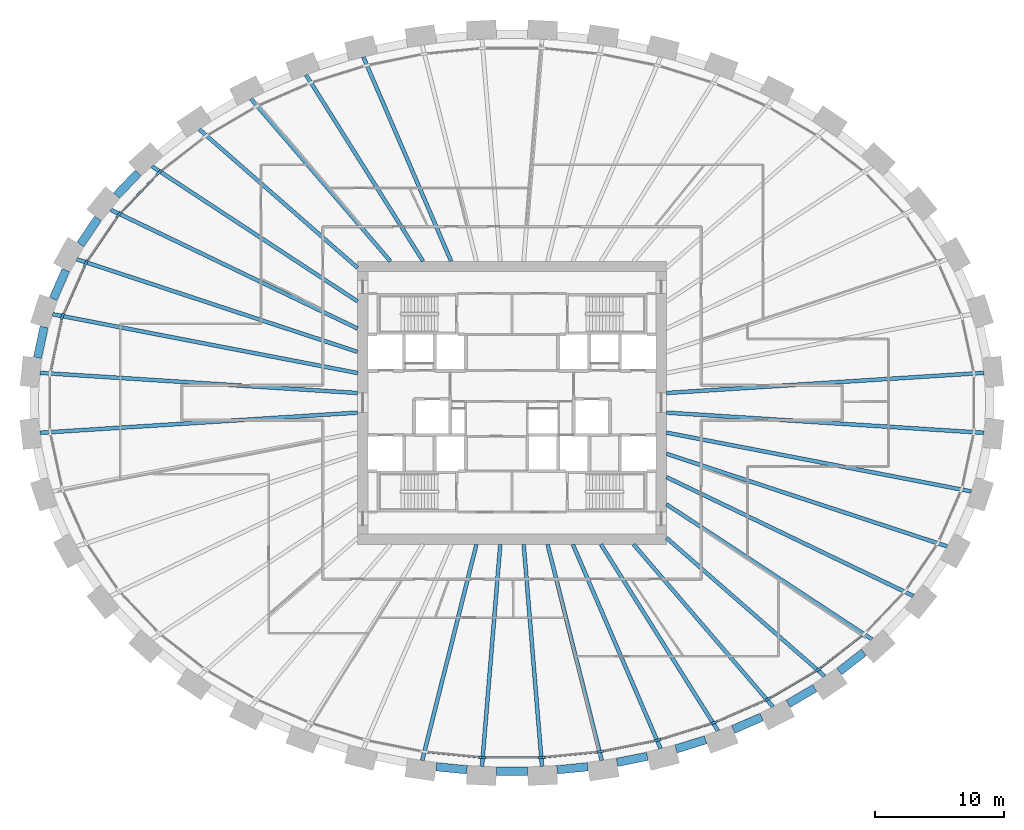
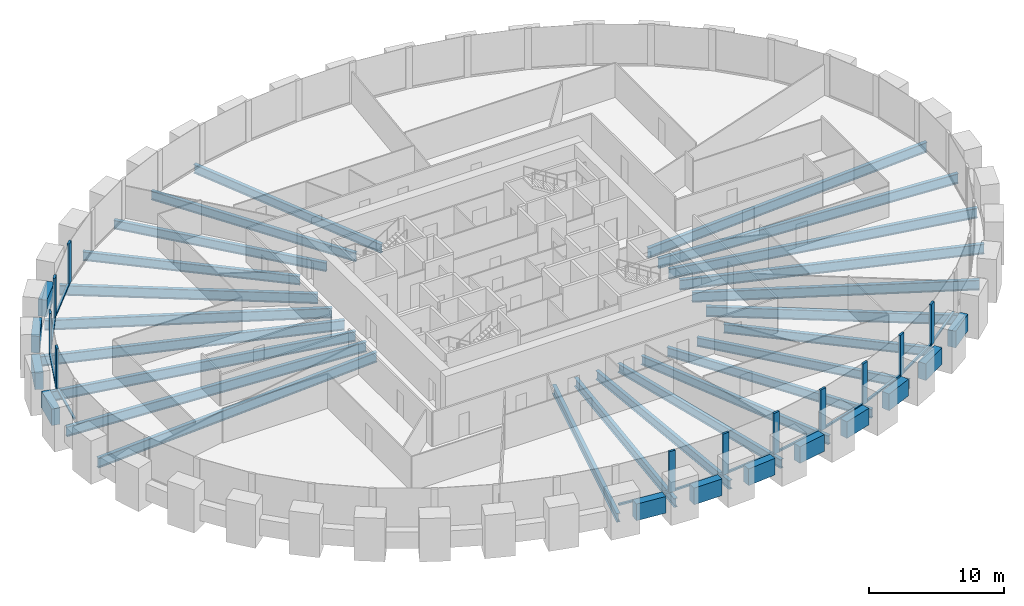
# One storey, part 2 of 10: 36 beams, 23 members, 1 element without a shape of its own.
"""IFC4 building model written with IfcOpenShell, lengths in metres."""

from ifc_helpers import new_model, si_unit, direction, frame, origin, origin_2d, place, context, subcontext, project, spatial, rectangle, i_section, extrude, source, transform, mapped, material, material_profile, profile_set, type_object, element, aggregate, save


model = new_model("IFC4")

# Units and contexts
model_context = context("Model", 3, precision=1e-05, world=origin(), true_north=direction((0.0, 1.0)))
body_context = subcontext(model_context, "Body", "Model", "MODEL_VIEW")
ifc_project = project(units=[si_unit("LENGTHUNIT", "METRE"), si_unit("AREAUNIT", "SQUARE_METRE"), si_unit("VOLUMEUNIT", "CUBIC_METRE"), si_unit("PLANEANGLEUNIT", "RADIAN"), si_unit("MASSUNIT", "GRAM", prefix="KILO")], contexts=[model_context])

# Site, building, storey
site_placement = place(None, origin())
site = spatial("IfcSite", under=ifc_project, at=site_placement, CompositionType="ELEMENT")
building_placement = place(site_placement, origin())
building = spatial("IfcBuilding", under=site, at=building_placement, Name="Embergate Tower", CompositionType="ELEMENT")
storey_placement = place(building_placement, frame((0.0, 0.0, 171.60009765625)))
storey = spatial("IfcBuildingStorey", under=building, at=storey_placement, Name="L38", CompositionType="ELEMENT", Elevation=171.60009765625)

# Beams
ifc_material_1 = material(Name="Concrete C70", Category="concrete")
ifc_material_profile_1 = material_profile(ifc_material_1, rectangle(XDim=0.64990234375, YDim=1.5, at=origin_2d()), Name="RC 650x1500")
ifc_profile_set_1 = profile_set([ifc_material_profile_1], Name="Concrete C70")
beam_type_1 = type_object("IfcBeamType", Name="Spandrel beam RC 650x1500 C70", PredefinedType="BEAM", material=ifc_profile_set_1)
shared_shape_1 = source(origin(), body_context, "Body", "SweptSolid", [
    extrude(rectangle(XDim=0.64990234375, YDim=1.5, at=origin_2d()), origin(), (0.0, 0.0, 1.0), 2.439697265625),
])
beam_1_placement = place(storey_placement, frame((-36.35693359375, 5.89306640625, 0.0), z_axis=(-0.210738503873, -0.977542471193, 0.0), x_axis=(0.977542471193, -0.210738503873, 0.0)))
element("IfcBeam", 1, at=beam_1_placement, inside=storey, type_object=beam_type_1, Name="SPN-L38-20", PredefinedType="BEAM", context=body_context, shape_type="MappedRepresentation", body=[
    mapped(shared_shape_1, transform((0.0, 0.0, 0.0))),
])
shared_shape_2 = source(origin(), body_context, "Body", "SweptSolid", [
    extrude(rectangle(XDim=0.64990234375, YDim=1.5, at=origin_2d()), origin(), (0.0, 0.0, 1.0), 2.436279296875),
])
beam_2_placement = place(storey_placement, frame((-34.6708984375, 10.31201171875, 0.0), z_axis=(-0.401838418441, -0.915710590452, 0.0), x_axis=(0.915710590452, -0.401838418441, 0.0)))
element("IfcBeam", 2, at=beam_2_placement, inside=storey, type_object=beam_type_1, Name="SPN-L38-19", PredefinedType="BEAM", context=body_context, shape_type="MappedRepresentation", body=[
    mapped(shared_shape_2, transform((0.0, 0.0, 0.0))),
])
shared_shape_3 = source(origin(), body_context, "Body", "SweptSolid", [
    extrude(rectangle(XDim=0.64990234375, YDim=1.5, at=origin_2d()), origin(), (0.0, 0.0, 1.0), 2.42724609375),
])
beam_3_placement = place(storey_placement, frame((-32.175048828125, 14.322021484375, 0.0), z_axis=(-0.562359541569, -0.826892826191, 0.0), x_axis=(0.826892826191, -0.562359541569, 0.0)))
element("IfcBeam", 3, at=beam_3_placement, inside=storey, type_object=beam_type_1, Name="SPN-L38-18", PredefinedType="BEAM", context=body_context, shape_type="MappedRepresentation", body=[
    mapped(shared_shape_3, transform((0.0, 0.0, 0.0))),
])
shared_shape_4 = source(origin(), body_context, "Body", "SweptSolid", [
    extrude(rectangle(XDim=0.64990234375, YDim=1.5, at=origin_2d()), origin(), (0.0, 0.0, 1.0), 2.421630859375),
])
beam_4_placement = place(storey_placement, frame((-29.05908203125, 17.864013671875, 0.0), z_axis=(-0.68996725843, -0.723840577955, 0.0), x_axis=(0.723840577955, -0.68996725843, 0.0)))
element("IfcBeam", 4, at=beam_4_placement, inside=storey, type_object=beam_type_1, Name="SPN-L38-17", PredefinedType="BEAM", context=body_context, shape_type="MappedRepresentation", body=[
    mapped(shared_shape_4, transform((0.0, 0.0, 0.0))),
])
shared_shape_5 = source(origin(), body_context, "Body", "SweptSolid", [
    extrude(rectangle(XDim=0.64990234375, YDim=1.5, at=origin_2d()), origin(), (0.0, 0.0, 1.0), 2.415283203125),
])
beam_5_placement = place(storey_placement, frame((25.43701171875, -20.87890625, 0.0), z_axis=(0.788366005977, 0.61520650242, 0.0), x_axis=(-0.61520650242, 0.788366005977, 0.0)))
element("IfcBeam", 5, at=beam_5_placement, inside=storey, type_object=beam_type_1, Name="SPN-L38-38", PredefinedType="BEAM", context=body_context, shape_type="MappedRepresentation", body=[
    mapped(shared_shape_5, transform((0.0, 0.0, 0.0))),
])
shared_shape_6 = source(origin(), body_context, "Body", "SweptSolid", [
    extrude(rectangle(XDim=0.64990234375, YDim=1.5, at=origin_2d()), origin(), (0.0, 0.0, 1.0), 2.41015625),
])
beam_6_placement = place(storey_placement, frame((21.45703125, -23.39306640625, 0.0), z_axis=(0.862176302717, 0.506608352707, 0.0), x_axis=(-0.506608352707, 0.862176302717, 0.0)))
element("IfcBeam", 6, at=beam_6_placement, inside=storey, type_object=beam_type_1, Name="SPN-L38-37", PredefinedType="BEAM", context=body_context, shape_type="MappedRepresentation", body=[
    mapped(shared_shape_6, transform((0.0, 0.0, 0.0))),
])
shared_shape_7 = source(origin(), body_context, "Body", "SweptSolid", [
    extrude(rectangle(XDim=0.64990234375, YDim=1.5, at=origin_2d()), origin(), (0.0, 0.0, 1.0), 2.405029296875),
])
beam_7_placement = place(storey_placement, frame((17.195068359375, -25.384033203125, 0.0), z_axis=(0.916318010886, 0.400451373983, 0.0), x_axis=(-0.400451373983, 0.916318010886, 0.0)))
element("IfcBeam", 7, at=beam_7_placement, inside=storey, type_object=beam_type_1, Name="SPN-L38-36", PredefinedType="BEAM", context=body_context, shape_type="MappedRepresentation", body=[
    mapped(shared_shape_7, transform((0.0, 0.0, 0.0))),
])
shared_shape_8 = source(origin(), body_context, "Body", "SweptSolid", [
    extrude(rectangle(XDim=0.64990234375, YDim=1.5, at=origin_2d()), origin(), (0.0, 0.0, 1.0), 2.40283203125),
])
beam_8_placement = place(storey_placement, frame((12.74609375, -26.903076171875, 0.0), z_axis=(0.954689462561, 0.297603813946, 0.0), x_axis=(-0.297603813946, 0.954689462561, 0.0)))
element("IfcBeam", 8, at=beam_8_placement, inside=storey, type_object=beam_type_1, Name="SPN-L38-35", PredefinedType="BEAM", context=body_context, shape_type="MappedRepresentation", body=[
    mapped(shared_shape_8, transform((0.0, 0.0, 0.0))),
])
shared_shape_9 = source(origin(), body_context, "Body", "SweptSolid", [
    extrude(rectangle(XDim=0.64990234375, YDim=1.5, at=origin_2d()), origin(), (0.0, 0.0, 1.0), 2.402099609375),
])
beam_9_placement = place(storey_placement, frame((8.162109375, -27.945068359375, 0.0), z_axis=(0.980408294351, 0.196976080702, 0.0), x_axis=(-0.196976080702, 0.980408294351, 0.0)))
element("IfcBeam", 9, at=beam_9_placement, inside=storey, type_object=beam_type_1, Name="SPN-L38-34", PredefinedType="BEAM", context=body_context, shape_type="MappedRepresentation", body=[
    mapped(shared_shape_9, transform((0.0, 0.0, 0.0))),
])
shared_shape_10 = source(origin(), body_context, "Body", "SweptSolid", [
    extrude(rectangle(XDim=0.64990234375, YDim=1.5, at=origin_2d()), origin(), (0.0, 0.0, 1.0), 2.4013671875),
])
for number, where, z_axis, x_axis, name in (
    (10, (-5.886962890625, -28.283935546875, 0.0), (0.995235491499, -0.097500340826, 0.0), (0.097500340826, 0.995235491499, 0.0), "SPN-L38-31"),
    (11, (3.4970703125, -28.51806640625, 0.0), (0.995235491499, 0.097500340826, 0.0), (-0.097500340826, 0.995235491499, 0.0), "SPN-L38-33"),
):
    element("IfcBeam", number, at=place(storey_placement, frame(where, z_axis=z_axis, x_axis=x_axis)), inside=storey, type_object=beam_type_1, Name=name, PredefinedType="BEAM", context=body_context, shape_type="MappedRepresentation", body=[
        mapped(shared_shape_10, transform((0.0, 0.0, 0.0))),
    ])
shared_shape_11 = source(origin(), body_context, "Body", "SweptSolid", [
    extrude(rectangle(XDim=0.64990234375, YDim=1.5, at=origin_2d()), origin(), (0.0, 0.0, 1.0), 2.39990234375),
])
beam_10_placement = place(storey_placement, frame((-1.199951171875, -28.631103515625, 0.0), z_axis=(1.0, 0.0, 0.0), x_axis=(0.0, 1.0, 0.0)))
element("IfcBeam", 12, at=beam_10_placement, inside=storey, type_object=beam_type_1, Name="SPN-L38-32", PredefinedType="BEAM", context=body_context, shape_type="MappedRepresentation", body=[
    mapped(shared_shape_11, transform((0.0, 0.0, 0.0))),
])
ifc_material_2 = material(Name="Steel Q355B", Category="steel")
ifc_material_profile_2 = material_profile(ifc_material_2, i_section(OverallWidth=0.300048828125, OverallDepth=0.89990234375, WebThickness=0.01611328125, FlangeThickness=0.028076171875, FilletRadius=0.028076171875, at=origin_2d()), Name="HN 900x300x16x28")
ifc_profile_set_2 = profile_set([ifc_material_profile_2], Name="Steel Q355 grade B")
beam_type_2 = type_object("IfcBeamType", Name="Radial girder HN 900x300x16x28", PredefinedType="BEAM", material=ifc_profile_set_2)
shared_shape_12 = source(origin(), body_context, "Body", "SweptSolid", [
    extrude(i_section(OverallWidth=0.300048828125, OverallDepth=0.89990234375, WebThickness=0.01611328125, FlangeThickness=0.028076171875, FilletRadius=0.028076171875, at=origin_2d()), origin(), (0.0, 0.0, 1.0), 24.71875),
])
for number, where, z_axis, x_axis, name in (
    (13, (36.6689453125, 2.330078125, -0.650146484375), (-0.997985760611, -0.063438329247, 0.0), (0.063438329247, -0.997985760611, 0.0), "GIR-L38-00"),
    (14, (-36.6689453125, 2.330078125, -0.650146484375), (0.997985760611, -0.063438329247, 0.0), (0.063438329247, 0.997985760611, 0.0), "GIR-L38-21"),
    (15, (-36.6689453125, -2.330078125, -0.650146484375), (0.997985760611, 0.063438329247, 0.0), (-0.063438329247, 0.997985760611, 0.0), "GIR-L38-22"),
    (16, (36.6689453125, -2.330078125, -0.650146484375), (-0.997985760611, 0.063438329247, 0.0), (-0.063438329247, -0.997985760611, 0.0), "GIR-L38-43"),
):
    element("IfcBeam", number, at=place(storey_placement, frame(where, z_axis=z_axis, x_axis=x_axis)), inside=storey, type_object=beam_type_2, Name=name, PredefinedType="BEAM", context=body_context, shape_type="MappedRepresentation", body=[
        mapped(shared_shape_12, transform((0.0, 0.0, 0.0))),
    ])
shared_shape_13 = source(origin(), body_context, "Body", "SweptSolid", [
    extrude(i_section(OverallWidth=0.300048828125, OverallDepth=0.89990234375, WebThickness=0.01611328125, FlangeThickness=0.028076171875, FilletRadius=0.028076171875, at=origin_2d()), origin(), (0.0, 0.0, 1.0), 24.12548828125),
])
for number, where, z_axis, x_axis, name in (
    (17, (-35.68896484375, 6.884033203125, -0.650146484375), (0.981902359672, -0.189387845628, 0.0), (0.189387845628, 0.981902359672, 0.0), "GIR-L38-20"),
    (18, (35.68896484375, -6.884033203125, -0.650146484375), (-0.981902359672, 0.189387845628, 0.0), (-0.189387845628, -0.981902359672, 0.0), "GIR-L38-42"),
):
    element("IfcBeam", number, at=place(storey_placement, frame(where, z_axis=z_axis, x_axis=x_axis)), inside=storey, type_object=beam_type_2, Name=name, PredefinedType="BEAM", context=body_context, shape_type="MappedRepresentation", body=[
        mapped(shared_shape_13, transform((0.0, 0.0, 0.0))),
    ])
shared_shape_14 = source(origin(), body_context, "Body", "SweptSolid", [
    extrude(i_section(OverallWidth=0.300048828125, OverallDepth=0.89990234375, WebThickness=0.01611328125, FlangeThickness=0.028076171875, FilletRadius=0.028076171875, at=origin_2d()), origin(), (0.0, 0.0, 1.0), 22.97265625),
])
for number, where, z_axis, x_axis, name in (
    (19, (-33.81689453125, 11.152099609375, -0.650146484375), (0.949687014879, -0.313200532838, 0.0), (0.313200532838, 0.949687014879, 0.0), "GIR-L38-19"),
    (20, (33.81689453125, -11.152099609375, -0.650146484375), (-0.949687014879, 0.313200532838, 0.0), (-0.313200532838, -0.949687014879, 0.0), "GIR-L38-41"),
):
    element("IfcBeam", number, at=place(storey_placement, frame(where, z_axis=z_axis, x_axis=x_axis)), inside=storey, type_object=beam_type_2, Name=name, PredefinedType="BEAM", context=body_context, shape_type="MappedRepresentation", body=[
        mapped(shared_shape_14, transform((0.0, 0.0, 0.0))),
    ])
shared_shape_15 = source(origin(), body_context, "Body", "SweptSolid", [
    extrude(i_section(OverallWidth=0.300048828125, OverallDepth=0.89990234375, WebThickness=0.01611328125, FlangeThickness=0.028076171875, FilletRadius=0.028076171875, at=origin_2d()), origin(), (0.0, 0.0, 1.0), 21.301025390625),
])
for number, where, z_axis, x_axis, name in (
    (21, (-31.195068359375, 15.008056640625, -0.650146484375), (0.901129390798, -0.433550252035, 0.0), (0.433550252035, 0.901129390798, 0.0), "GIR-L38-18"),
    (22, (31.195068359375, -15.008056640625, -0.650146484375), (-0.901129390798, 0.433550252035, 0.0), (-0.433550252035, -0.901129390798, 0.0), "GIR-L38-40"),
):
    element("IfcBeam", number, at=place(storey_placement, frame(where, z_axis=z_axis, x_axis=x_axis)), inside=storey, type_object=beam_type_2, Name=name, PredefinedType="BEAM", context=body_context, shape_type="MappedRepresentation", body=[
        mapped(shared_shape_15, transform((0.0, 0.0, 0.0))),
    ])
shared_shape_16 = source(origin(), body_context, "Body", "SweptSolid", [
    extrude(i_section(OverallWidth=0.300048828125, OverallDepth=0.89990234375, WebThickness=0.01611328125, FlangeThickness=0.028076171875, FilletRadius=0.028076171875, at=origin_2d()), origin(), (0.0, 0.0, 1.0), 19.1181640625),
])
for number, where, z_axis, x_axis, name in (
    (23, (-27.97802734375, 18.382080078125, -0.650146484375), (0.835748679781, -0.549112141775, 0.0), (0.549112141775, 0.835748679781, 0.0), "GIR-L38-17"),
    (24, (27.97802734375, -18.382080078125, -0.650146484375), (-0.835748679781, 0.549112141775, 0.0), (-0.549112141775, -0.835748679781, 0.0), "GIR-L38-39"),
):
    element("IfcBeam", number, at=place(storey_placement, frame(where, z_axis=z_axis, x_axis=x_axis)), inside=storey, type_object=beam_type_2, Name=name, PredefinedType="BEAM", context=body_context, shape_type="MappedRepresentation", body=[
        mapped(shared_shape_16, transform((0.0, 0.0, 0.0))),
    ])
ifc_material_profile_3 = material_profile(ifc_material_2, i_section(OverallWidth=0.300048828125, OverallDepth=0.800048828125, WebThickness=0.013916015625, FlangeThickness=0.02587890625, FilletRadius=0.028076171875, at=origin_2d()), Name="HN 800x300x14x26")
ifc_profile_set_3 = profile_set([ifc_material_profile_3], Name="Steel Q355 grade B")
beam_type_3 = type_object("IfcBeamType", Name="Radial girder HN 800x300x14x26", PredefinedType="BEAM", material=ifc_profile_set_3)
shared_shape_17 = source(origin(), body_context, "Body", "SweptSolid", [
    extrude(i_section(OverallWidth=0.300048828125, OverallDepth=0.800048828125, WebThickness=0.013916015625, FlangeThickness=0.02587890625, FilletRadius=0.028076171875, at=origin_2d()), origin(), (0.0, 0.0, 1.0), 16.341796875),
])
for number, where, z_axis, x_axis, name in (
    (25, (-24.301025390625, 21.251953125, -0.60009765625), (0.752738629267, -0.65831949387, 0.0), (0.65831949387, 0.752738629267, 0.0), "GIR-L38-16"),
    (26, (24.301025390625, -21.251953125, -0.60009765625), (-0.752738629267, 0.65831949387, 0.0), (-0.65831949387, -0.752738629267, 0.0), "GIR-L38-38"),
):
    element("IfcBeam", number, at=place(storey_placement, frame(where, z_axis=z_axis, x_axis=x_axis)), inside=storey, type_object=beam_type_3, Name=name, PredefinedType="BEAM", context=body_context, shape_type="MappedRepresentation", body=[
        mapped(shared_shape_17, transform((0.0, 0.0, 0.0))),
    ])
shared_shape_18 = source(origin(), body_context, "Body", "SweptSolid", [
    extrude(i_section(OverallWidth=0.300048828125, OverallDepth=0.800048828125, WebThickness=0.013916015625, FlangeThickness=0.02587890625, FilletRadius=0.028076171875, at=origin_2d()), origin(), (0.0, 0.0, 1.0), 16.62939453125),
])
for number, where, z_axis, x_axis, name in (
    (27, (-20.280029296875, 23.615966796875, -0.60009765625), (0.651494757219, -0.758653136364, 0.0), (0.758653136364, 0.651494757219, 0.0), "GIR-L38-15"),
    (28, (20.280029296875, -23.615966796875, -0.60009765625), (-0.651494757219, 0.758653136364, 0.0), (-0.758653136364, -0.651494757219, 0.0), "GIR-L38-37"),
):
    element("IfcBeam", number, at=place(storey_placement, frame(where, z_axis=z_axis, x_axis=x_axis)), inside=storey, type_object=beam_type_3, Name=name, PredefinedType="BEAM", context=body_context, shape_type="MappedRepresentation", body=[
        mapped(shared_shape_18, transform((0.0, 0.0, 0.0))),
    ])
shared_shape_19 = source(origin(), body_context, "Body", "SweptSolid", [
    extrude(i_section(OverallWidth=0.300048828125, OverallDepth=0.800048828125, WebThickness=0.013916015625, FlangeThickness=0.02587890625, FilletRadius=0.028076171875, at=origin_2d()), origin(), (0.0, 0.0, 1.0), 17.103271484375),
])
for number, where, z_axis, x_axis, name in (
    (29, (-16.0048828125, 25.48388671875, -0.60009765625), (0.531827416629, -0.846852761064, 0.0), (0.846852761064, 0.531827416629, 0.0), "GIR-L38-14"),
    (30, (16.0048828125, -25.48388671875, -0.60009765625), (-0.531827416629, 0.846852761064, 0.0), (-0.846852761064, -0.531827416629, 0.0), "GIR-L38-36"),
):
    element("IfcBeam", number, at=place(storey_placement, frame(where, z_axis=z_axis, x_axis=x_axis)), inside=storey, type_object=beam_type_3, Name=name, PredefinedType="BEAM", context=body_context, shape_type="MappedRepresentation", body=[
        mapped(shared_shape_19, transform((0.0, 0.0, 0.0))),
    ])
shared_shape_20 = source(origin(), body_context, "Body", "SweptSolid", [
    extrude(i_section(OverallWidth=0.300048828125, OverallDepth=0.800048828125, WebThickness=0.013916015625, FlangeThickness=0.02587890625, FilletRadius=0.028076171875, at=origin_2d()), origin(), (0.0, 0.0, 1.0), 17.2763671875),
])
for number, where, z_axis, x_axis, name in (
    (31, (-11.551025390625, 26.8720703125, -0.60009765625), (0.394930430289, -0.918711029232, 0.0), (0.918711029232, 0.394930430289, 0.0), "GIR-L38-13"),
    (32, (11.551025390625, -26.8720703125, -0.60009765625), (-0.394930430289, 0.918711029232, 0.0), (-0.918711029232, -0.394930430289, 0.0), "GIR-L38-35"),
):
    element("IfcBeam", number, at=place(storey_placement, frame(where, z_axis=z_axis, x_axis=x_axis)), inside=storey, type_object=beam_type_3, Name=name, PredefinedType="BEAM", context=body_context, shape_type="MappedRepresentation", body=[
        mapped(shared_shape_20, transform((0.0, 0.0, 0.0))),
    ])
shared_shape_21 = source(origin(), body_context, "Body", "SweptSolid", [
    extrude(i_section(OverallWidth=0.300048828125, OverallDepth=0.800048828125, WebThickness=0.013916015625, FlangeThickness=0.02587890625, FilletRadius=0.028076171875, at=origin_2d()), origin(), (0.0, 0.0, 1.0), 17.31103515625),
])
for number, where, z_axis, x_axis, name in (
    (33, (-6.97607421875, -27.7900390625, -0.60009765625), (0.243491204419, 0.969903105145, 0.0), (-0.969903105145, 0.243491204419, 0.0), "GIR-L38-31"),
    (34, (6.97607421875, -27.7900390625, -0.60009765625), (-0.243491204419, 0.969903105145, 0.0), (-0.969903105145, -0.243491204419, 0.0), "GIR-L38-34"),
):
    element("IfcBeam", number, at=place(storey_placement, frame(where, z_axis=z_axis, x_axis=x_axis)), inside=storey, type_object=beam_type_3, Name=name, PredefinedType="BEAM", context=body_context, shape_type="MappedRepresentation", body=[
        mapped(shared_shape_21, transform((0.0, 0.0, 0.0))),
    ])
shared_shape_22 = source(origin(), body_context, "Body", "SweptSolid", [
    extrude(i_section(OverallWidth=0.300048828125, OverallDepth=0.800048828125, WebThickness=0.013916015625, FlangeThickness=0.02587890625, FilletRadius=0.028076171875, at=origin_2d()), origin(), (0.0, 0.0, 1.0), 17.304931640625),
])
for number, where, z_axis, x_axis, name in (
    (35, (-2.3330078125, -28.24609375, -0.60009765625), (0.082349584625, 0.996603504866, 0.0), (-0.996603504866, 0.082349584625, 0.0), "GIR-L38-32"),
    (36, (2.3330078125, -28.24609375, -0.60009765625), (-0.082349584625, 0.996603504866, 0.0), (-0.996603504866, -0.082349584625, 0.0), "GIR-L38-33"),
):
    element("IfcBeam", number, at=place(storey_placement, frame(where, z_axis=z_axis, x_axis=x_axis)), inside=storey, type_object=beam_type_3, Name=name, PredefinedType="BEAM", context=body_context, shape_type="MappedRepresentation", body=[
        mapped(shared_shape_22, transform((0.0, 0.0, 0.0))),
    ])

# Curtain wall, members
ifc_material_3 = material(Name="Aluminium and glass", Category="aluminium")
curtain_wall_type = type_object("IfcCurtainWallType", Name="Recessed office glazing", PredefinedType="NOTDEFINED", material=ifc_material_3)
curtain_wall_placement = place(storey_placement, origin())
curtain_wall = element("IfcCurtainWall", 37, at=curtain_wall_placement, inside=storey, type_object=curtain_wall_type, Name="Recessed office glazing ring", ObjectType="RECESSED OFFICE GLAZING", PredefinedType="USERDEFINED")
ifc_material_4 = material(Name="Aluminium, thermally broken", Category="aluminium")
ifc_material_profile_4 = material_profile(ifc_material_4, rectangle(XDim=0.179931640625, YDim=0.52001953125, at=origin_2d()), Name="AL 520x180")
ifc_profile_set_4 = profile_set([ifc_material_profile_4], Name="Aluminium, thermally broken")
member_type_1 = type_object("IfcMemberType", Name="Office mullion", PredefinedType="MULLION", material=ifc_profile_set_4)
shared_shape_23 = source(origin(), body_context, "Body", "SweptSolid", [
    extrude(rectangle(XDim=0.179931640625, YDim=0.52001953125, at=origin_2d()), origin(), (0.0, 0.0, 1.0), 3.699951171875),
])
member_1_placement = place(storey_placement, frame((-27.425537109375, 17.900634765625, 0.0), z_axis=(0.0, 0.0, 1.0), x_axis=(0.671221359023, -0.741256964346, 0.0)))
member_1 = element("IfcMember", 38, at=member_1_placement, type_object=member_type_1, Name="CW mullion 18", PredefinedType="MULLION", context=body_context, shape_type="MappedRepresentation", body=[
    mapped(shared_shape_23, transform((0.0, 0.0, 0.0))),
])
member_2_placement = place(storey_placement, frame((-30.568359375, 14.60498046875, 0.0), z_axis=(0.0, 0.0, 1.0), x_axis=(0.777867080309, -0.62842883875, 0.0)))
member_2 = element("IfcMember", 39, at=member_2_placement, type_object=member_type_1, Name="CW mullion 19", PredefinedType="MULLION", context=body_context, shape_type="MappedRepresentation", body=[
    mapped(shared_shape_23, transform((0.0, 0.0, 0.0))),
])
member_3_placement = place(storey_placement, frame((-33.12451171875, 10.84619140625, 0.0), z_axis=(0.0, 0.0, 1.0), x_axis=(0.874998516019, -0.484125600402, 0.0)))
member_3 = element("IfcMember", 40, at=member_3_placement, type_object=member_type_1, Name="CW mullion 20", PredefinedType="MULLION", context=body_context, shape_type="MappedRepresentation", body=[
    mapped(shared_shape_23, transform((0.0, 0.0, 0.0))),
])
member_4_placement = place(storey_placement, frame((-34.94677734375, 6.691650390625, 0.0), z_axis=(0.0, 0.0, 1.0), x_axis=(0.951496187099, -0.307660536853, 0.0)))
member_4 = element("IfcMember", 41, at=member_4_placement, type_object=member_type_1, Name="CW mullion 21", PredefinedType="MULLION", context=body_context, shape_type="MappedRepresentation", body=[
    mapped(shared_shape_23, transform((0.0, 0.0, 0.0))),
])
member_5_placement = place(storey_placement, frame((-2.28955078125, -27.56201171875, 0.0), z_axis=(0.0, 0.0, 1.0), x_axis=(0.048970053385, 0.998800247232, 0.0)))
member_5 = element("IfcMember", 42, at=member_5_placement, type_object=member_type_1, Name="CW mullion 33", PredefinedType="MULLION", context=body_context, shape_type="MappedRepresentation", body=[
    mapped(shared_shape_23, transform((0.0, 0.0, 0.0))),
])
member_6_placement = place(storey_placement, frame((2.28955078125, -27.56201171875, 0.0), z_axis=(0.0, 0.0, 1.0), x_axis=(-0.048970053385, 0.998800247232, 0.0)))
member_6 = element("IfcMember", 43, at=member_6_placement, type_object=member_type_1, Name="CW mullion 34", PredefinedType="MULLION", context=body_context, shape_type="MappedRepresentation", body=[
    mapped(shared_shape_23, transform((0.0, 0.0, 0.0))),
])
member_7_placement = place(storey_placement, frame((6.846435546875, -27.1142578125, 0.0), z_axis=(0.0, 0.0, 1.0), x_axis=(-0.147408930294, 0.989075632735, 0.0)))
member_7 = element("IfcMember", 44, at=member_7_placement, type_object=member_type_1, Name="CW mullion 35", PredefinedType="MULLION", context=body_context, shape_type="MappedRepresentation", body=[
    mapped(shared_shape_23, transform((0.0, 0.0, 0.0))),
])
member_8_placement = place(storey_placement, frame((11.334716796875, -26.214111328125, 0.0), z_axis=(0.0, 0.0, 1.0), x_axis=(-0.247308499144, 0.96893679167, 0.0)))
member_8 = element("IfcMember", 45, at=member_8_placement, type_object=member_type_1, Name="CW mullion 36", PredefinedType="MULLION", context=body_context, shape_type="MappedRepresentation", body=[
    mapped(shared_shape_23, transform((0.0, 0.0, 0.0))),
])
member_9_placement = place(storey_placement, frame((15.702880859375, -24.853759765625, 0.0), z_axis=(0.0, 0.0, 1.0), x_axis=(-0.349497777064, 0.936937193107, 0.0)))
member_9 = element("IfcMember", 46, at=member_9_placement, type_object=member_type_1, Name="CW mullion 37", PredefinedType="MULLION", context=body_context, shape_type="MappedRepresentation", body=[
    mapped(shared_shape_23, transform((0.0, 0.0, 0.0))),
])
member_10_placement = place(storey_placement, frame((19.89208984375, -23.02197265625, 0.0), z_axis=(0.0, 0.0, 1.0), x_axis=(-0.45450516197, 0.8907441034, 0.0)))
member_10 = element("IfcMember", 47, at=member_10_placement, type_object=member_type_1, Name="CW mullion 38", PredefinedType="MULLION", context=body_context, shape_type="MappedRepresentation", body=[
    mapped(shared_shape_23, transform((0.0, 0.0, 0.0))),
])
member_11_placement = place(storey_placement, frame((23.82958984375, -20.70703125, 0.0), z_axis=(0.0, 0.0, 1.0), x_axis=(-0.562210401679, 0.82699423471, 0.0)))
member_11 = element("IfcMember", 48, at=member_11_placement, type_object=member_type_1, Name="CW mullion 39", PredefinedType="MULLION", context=body_context, shape_type="MappedRepresentation", body=[
    mapped(shared_shape_23, transform((0.0, 0.0, 0.0))),
])
ifc_material_profile_5 = material_profile(ifc_material_4, rectangle(XDim=0.179931640625, YDim=0.14990234375, at=origin_2d()), Name="AL 150x180")
ifc_profile_set_5 = profile_set([ifc_material_profile_5], Name="Aluminium, thermally broken")
member_type_2 = type_object("IfcMemberType", Name="Office sill transom", PredefinedType="USERDEFINED", material=ifc_profile_set_5)
shared_shape_24 = source(origin(), body_context, "Body", "SweptSolid", [
    extrude(rectangle(XDim=0.179931640625, YDim=0.14990234375, at=origin_2d()), origin(), (0.0, 0.0, 1.0), 4.009765625),
])
member_12_placement = place(storey_placement, frame((-35.00146484375, 6.4375, 0.074951171875), z_axis=(-0.210368972531, -0.977622061635, 0.0), x_axis=(0.977622061635, -0.210368972531, 0.0)))
member_12 = element("IfcMember", 49, at=member_12_placement, type_object=member_type_2, Name="CW transom 21.1", ObjectType="TRANSOM", PredefinedType="USERDEFINED", context=body_context, shape_type="MappedRepresentation", body=[
    mapped(shared_shape_24, transform((0.0, 0.0, 0.0))),
])
shared_shape_25 = source(origin(), body_context, "Body", "SweptSolid", [
    extrude(rectangle(XDim=0.179931640625, YDim=0.14990234375, at=origin_2d()), origin(), (0.0, 0.0, 1.0), 4.0166015625),
])
member_13_placement = place(storey_placement, frame((-33.22900390625, 10.608154296875, 0.074951171875), z_axis=(-0.401644503167, -0.915795661202, 0.0), x_axis=(0.915795661202, -0.401644503167, 0.0)))
member_13 = element("IfcMember", 50, at=member_13_placement, type_object=member_type_2, Name="CW transom 20.1", ObjectType="TRANSOM", PredefinedType="USERDEFINED", context=body_context, shape_type="MappedRepresentation", body=[
    mapped(shared_shape_25, transform((0.0, 0.0, 0.0))),
])
shared_shape_26 = source(origin(), body_context, "Body", "SweptSolid", [
    extrude(rectangle(XDim=0.179931640625, YDim=0.14990234375, at=origin_2d()), origin(), (0.0, 0.0, 1.0), 4.025390625),
])
member_14_placement = place(storey_placement, frame((-30.714599609375, 14.389892578125, 0.074951171875), z_axis=(-0.562346517012, -0.826901683881, 0.0), x_axis=(0.826901683881, -0.562346517012, 0.0)))
member_14 = element("IfcMember", 51, at=member_14_placement, type_object=member_type_2, Name="CW transom 19.1", ObjectType="TRANSOM", PredefinedType="USERDEFINED", context=body_context, shape_type="MappedRepresentation", body=[
    mapped(shared_shape_26, transform((0.0, 0.0, 0.0))),
])
shared_shape_27 = source(origin(), body_context, "Body", "SweptSolid", [
    extrude(rectangle(XDim=0.179931640625, YDim=0.14990234375, at=origin_2d()), origin(), (0.0, 0.0, 1.0), 4.033935546875),
])
member_15_placement = place(storey_placement, frame((-27.60498046875, 17.71240234375, 0.074951171875), z_axis=(-0.690112930661, -0.723701694716, 0.0), x_axis=(0.723701694716, -0.690112930661, 0.0)))
member_15 = element("IfcMember", 52, at=member_15_placement, type_object=member_type_2, Name="CW transom 18.1", ObjectType="TRANSOM", PredefinedType="USERDEFINED", context=body_context, shape_type="MappedRepresentation", body=[
    mapped(shared_shape_27, transform((0.0, 0.0, 0.0))),
])
shared_shape_28 = source(origin(), body_context, "Body", "SweptSolid", [
    extrude(rectangle(XDim=0.179931640625, YDim=0.14990234375, at=origin_2d()), origin(), (0.0, 0.0, 1.0), 4.04150390625),
])
member_16_placement = place(storey_placement, frame((24.034423828125, -20.547119140625, 0.074951171875), z_axis=(0.788326502743, 0.615257121107, 0.0), x_axis=(-0.615257121107, 0.788326502743, 0.0)))
member_16 = element("IfcMember", 53, at=member_16_placement, type_object=member_type_2, Name="CW transom 39.1", ObjectType="TRANSOM", PredefinedType="USERDEFINED", context=body_context, shape_type="MappedRepresentation", body=[
    mapped(shared_shape_28, transform((0.0, 0.0, 0.0))),
])
shared_shape_29 = source(origin(), body_context, "Body", "SweptSolid", [
    extrude(rectangle(XDim=0.179931640625, YDim=0.14990234375, at=origin_2d()), origin(), (0.0, 0.0, 1.0), 4.047607421875),
])
member_17_placement = place(storey_placement, frame((20.1162109375, -22.89013671875, 0.074951171875), z_axis=(0.862067536609, 0.50679341188, 0.0), x_axis=(-0.50679341188, 0.862067536609, 0.0)))
member_17 = element("IfcMember", 54, at=member_17_placement, type_object=member_type_2, Name="CW transom 38.1", ObjectType="TRANSOM", PredefinedType="USERDEFINED", context=body_context, shape_type="MappedRepresentation", body=[
    mapped(shared_shape_29, transform((0.0, 0.0, 0.0))),
])
shared_shape_30 = source(origin(), body_context, "Body", "SweptSolid", [
    extrude(rectangle(XDim=0.179931640625, YDim=0.14990234375, at=origin_2d()), origin(), (0.0, 0.0, 1.0), 4.052001953125),
])
member_18_placement = place(storey_placement, frame((15.941162109375, -24.74951171875, 0.074951171875), z_axis=(0.91624719551, 0.400613375613, 0.0), x_axis=(-0.400613375613, 0.91624719551, 0.0)))
member_18 = element("IfcMember", 55, at=member_18_placement, type_object=member_type_2, Name="CW transom 37.1", ObjectType="TRANSOM", PredefinedType="USERDEFINED", context=body_context, shape_type="MappedRepresentation", body=[
    mapped(shared_shape_30, transform((0.0, 0.0, 0.0))),
])
shared_shape_31 = source(origin(), body_context, "Body", "SweptSolid", [
    extrude(rectangle(XDim=0.179931640625, YDim=0.14990234375, at=origin_2d()), origin(), (0.0, 0.0, 1.0), 4.055419921875),
])
member_19_placement = place(storey_placement, frame((11.582763671875, -26.13671875, 0.074951171875), z_axis=(0.954775154278, 0.297328782281, 0.0), x_axis=(-0.297328782281, 0.954775154278, 0.0)))
member_19 = element("IfcMember", 56, at=member_19_placement, type_object=member_type_2, Name="CW transom 36.1", ObjectType="TRANSOM", PredefinedType="USERDEFINED", context=body_context, shape_type="MappedRepresentation", body=[
    mapped(shared_shape_31, transform((0.0, 0.0, 0.0))),
])
shared_shape_32 = source(origin(), body_context, "Body", "SweptSolid", [
    extrude(rectangle(XDim=0.179931640625, YDim=0.14990234375, at=origin_2d()), origin(), (0.0, 0.0, 1.0), 4.057373046875),
])
member_20_placement = place(storey_placement, frame((7.101318359375, -27.06298828125, 0.074951171875), z_axis=(0.980476396391, 0.196636812728, 0.0), x_axis=(-0.196636812728, 0.980476396391, 0.0)))
member_20 = element("IfcMember", 57, at=member_20_placement, type_object=member_type_2, Name="CW transom 35.1", ObjectType="TRANSOM", PredefinedType="USERDEFINED", context=body_context, shape_type="MappedRepresentation", body=[
    mapped(shared_shape_32, transform((0.0, 0.0, 0.0))),
])
shared_shape_33 = source(origin(), body_context, "Body", "SweptSolid", [
    extrude(rectangle(XDim=0.179931640625, YDim=0.14990234375, at=origin_2d()), origin(), (0.0, 0.0, 1.0), 4.058837890625),
])
member_21_placement = place(storey_placement, frame((-6.587646484375, -27.1396484375, 0.074951171875), z_axis=(0.995205476783, -0.097806231807, 0.0), x_axis=(0.097806231807, 0.995205476783, 0.0)))
member_21 = element("IfcMember", 58, at=member_21_placement, type_object=member_type_2, Name="CW transom 32.1", ObjectType="TRANSOM", PredefinedType="USERDEFINED", context=body_context, shape_type="MappedRepresentation", body=[
    mapped(shared_shape_33, transform((0.0, 0.0, 0.0))),
])
member_22_placement = place(storey_placement, frame((2.54833984375, -27.53662109375, 0.074951171875), z_axis=(0.995205476783, 0.097806231807, 0.0), x_axis=(-0.097806231807, 0.995205476783, 0.0)))
member_22 = element("IfcMember", 59, at=member_22_placement, type_object=member_type_2, Name="CW transom 34.1", ObjectType="TRANSOM", PredefinedType="USERDEFINED", context=body_context, shape_type="MappedRepresentation", body=[
    mapped(shared_shape_33, transform((0.0, 0.0, 0.0))),
])
shared_shape_34 = source(origin(), body_context, "Body", "SweptSolid", [
    extrude(rectangle(XDim=0.179931640625, YDim=0.14990234375, at=origin_2d()), origin(), (0.0, 0.0, 1.0), 4.05908203125),
])
member_23_placement = place(storey_placement, frame((-2.029541015625, -27.56201171875, 0.074951171875), z_axis=(1.0, 0.0, 0.0), x_axis=(0.0, 1.0, 0.0)))
member_23 = element("IfcMember", 60, at=member_23_placement, type_object=member_type_2, Name="CW transom 33.1", ObjectType="TRANSOM", PredefinedType="USERDEFINED", context=body_context, shape_type="MappedRepresentation", body=[
    mapped(shared_shape_34, transform((0.0, 0.0, 0.0))),
])
aggregate(curtain_wall, [member_1, member_2, member_3, member_4, member_5, member_6, member_7, member_8, member_9, member_10, member_11, member_15, member_14, member_13, member_12, member_21, member_23, member_22, member_20, member_19, member_18, member_17, member_16])

save(model, "model.ifc")
